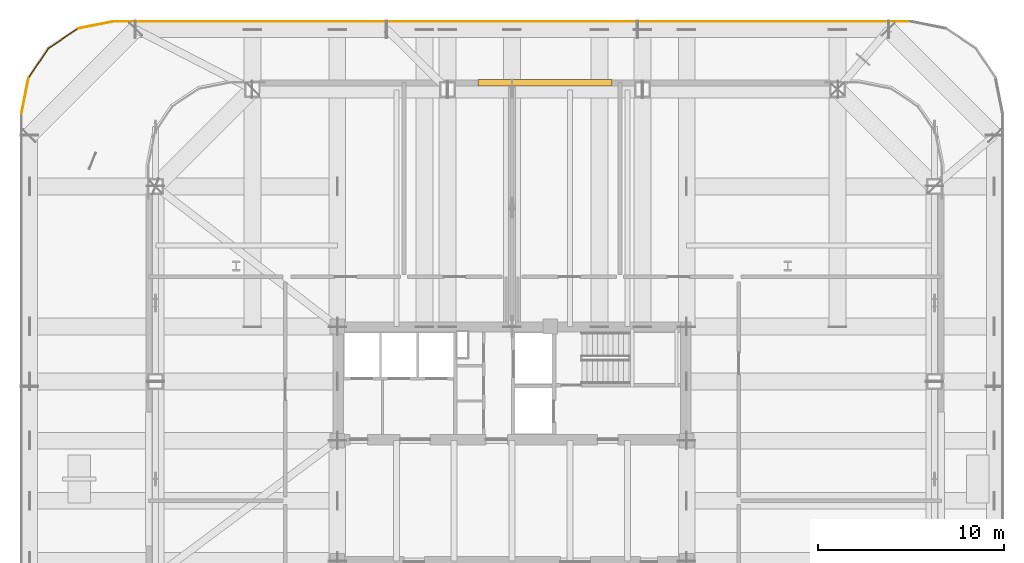
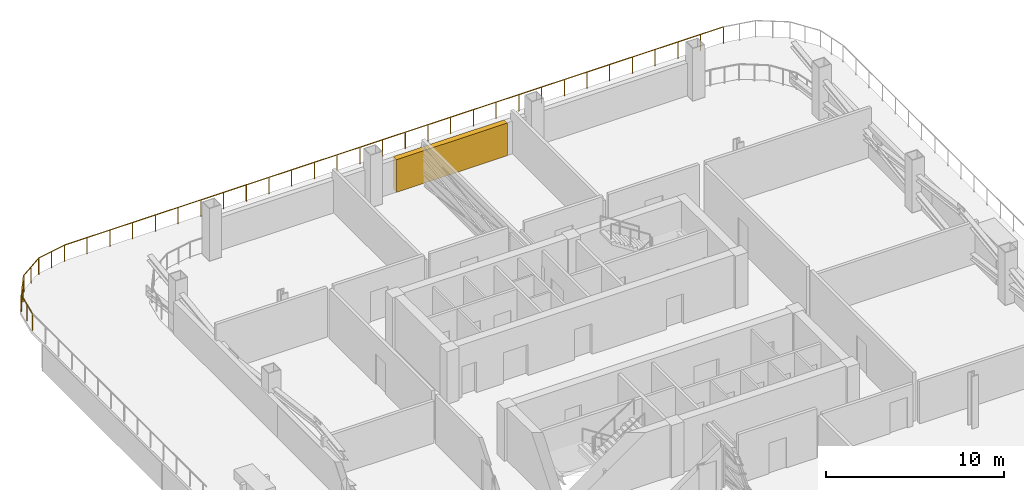
# One storey, part 15 of 16: 5 railings, 1 shading device.
"""IFC4 building model written with IfcOpenShell, lengths in metres."""

from ifc_helpers import new_model, si_unit, direction, frame, origin, origin_2d, place, context, subcontext, project, spatial, rectangle, extrude, material, type_object, element, save


model = new_model("IFC4")

# Units and contexts
model_context = context("Model", 3, precision=1e-05, world=origin(), true_north=direction((0.0, 1.0)))
body_context = subcontext(model_context, "Body", "Model", "MODEL_VIEW")
ifc_project = project(units=[si_unit("LENGTHUNIT", "METRE"), si_unit("AREAUNIT", "SQUARE_METRE"), si_unit("VOLUMEUNIT", "CUBIC_METRE"), si_unit("PLANEANGLEUNIT", "RADIAN"), si_unit("MASSUNIT", "GRAM", prefix="KILO")], contexts=[model_context])

# Site, building, storey
site_placement = place(None, origin())
site = spatial("IfcSite", under=ifc_project, at=site_placement, CompositionType="ELEMENT")
building_placement = place(site_placement, origin())
building = spatial("IfcBuilding", under=site, at=building_placement, Name="Qhalaya Broadcast Tower", CompositionType="ELEMENT")
storey_placement = place(building_placement, frame((0.0, 0.0, 57.89990234375)))
storey = spatial("IfcBuildingStorey", under=building, at=storey_placement, Name="L16", CompositionType="ELEMENT", Elevation=57.89990234375)

# Shading device
ifc_material_1 = material(Name="Fired Architectural Terracotta", Category="masonry")
shading_device_type = type_object("IfcShadingDeviceType", Name="Plant & Turbine-Slot Acoustic Louvre Screen LVS-01", PredefinedType="USERDEFINED", material=ifc_material_1)
shading_device_placement = place(storey_placement, frame((1.77001953125, 23.030029296875, 0.0), z_axis=(0.0, 0.0, 1.0), x_axis=(1.0, 0.0, 0.0)))
element("IfcShadingDevice", 1, at=shading_device_placement, inside=storey, type_object=shading_device_type, Name="L16 Plant Acoustic Louvre Screen N", ObjectType="LOUVRE", PredefinedType="USERDEFINED", context=body_context, shape_type="SweptSolid", body=[
    extrude(rectangle(XDim=7.199951171875, YDim=0.360107421875, at=origin_2d()), origin(), (0.0, 0.0, 1.0), 2.241943359375),
])

# Railings
ifc_material_2 = material(Name="Powder-Coated Galvanised Steel", Category="steel")
railing_type = type_object("IfcRailingType", Name="Terrace, Sky-Pool & Lookout Glass Balustrade 1150", PredefinedType="BALUSTRADE", material=ifc_material_2)
railing_1_placement = place(storey_placement, frame((-26.320068359375, 21.39208984375, 0.0)))
element("IfcRailing", 2, at=railing_1_placement, inside=storey, type_object=railing_type, Name="L16 Perimeter Safety Balustrade BAL-TER1-07", PredefinedType="BALUSTRADE", context=body_context, shape_type="SweptSolid", body=[
    extrude(rectangle(XDim=0.048095703125, YDim=0.048095703125, at=origin_2d()), frame((0.0, 0.0, 1.1259765625), z_axis=(0.195092814307, 0.980784784652, 0.0), x_axis=(-0.980784784652, 0.195092814307, 0.0)), (0.0, 0.0, 1.0), 1.92724609375),
    extrude(rectangle(XDim=0.0419921875, YDim=0.0419921875, at=origin_2d()), origin(), (0.0, 0.0, 1.0), 1.099853515625),
    extrude(rectangle(XDim=0.0419921875, YDim=0.0419921875, at=origin_2d()), frame((0.18798828125, 0.945068359375, 0.0)), (0.0, 0.0, 1.0), 1.099853515625),
    extrude(rectangle(XDim=0.0419921875, YDim=0.0419921875, at=origin_2d()), frame((0.3759765625, 1.89013671875, 0.0)), (0.0, 0.0, 1.0), 1.099853515625),
])
railing_2_placement = place(storey_placement, frame((-25.944091796875, 23.2822265625, 0.0)))
element("IfcRailing", 3, at=railing_2_placement, inside=storey, type_object=railing_type, Name="L16 Perimeter Safety Balustrade BAL-TER1-08", PredefinedType="BALUSTRADE", context=body_context, shape_type="SweptSolid", body=[
    extrude(rectangle(XDim=0.048095703125, YDim=0.048095703125, at=origin_2d()), frame((0.0, 0.0, 1.1259765625), z_axis=(0.555697986594, 0.831384235895, 0.0), x_axis=(-0.831384235895, 0.555697986594, 0.0)), (0.0, 0.0, 1.0), 1.9189453125),
    extrude(rectangle(XDim=0.0419921875, YDim=0.0419921875, at=origin_2d()), origin(), (0.0, 0.0, 1.0), 1.099853515625),
    extrude(rectangle(XDim=0.0419921875, YDim=0.0419921875, at=origin_2d()), frame((0.533203125, 0.7978515625, 0.0)), (0.0, 0.0, 1.0), 1.099853515625),
    extrude(rectangle(XDim=0.0419921875, YDim=0.0419921875, at=origin_2d()), frame((1.06640625, 1.595458984375, 0.0)), (0.0, 0.0, 1.0), 1.099853515625),
])
railing_3_placement = place(storey_placement, frame((-24.877685546875, 24.877685546875, 0.0)))
element("IfcRailing", 4, at=railing_3_placement, inside=storey, type_object=railing_type, Name="L16 Perimeter Safety Balustrade BAL-TER1-09", PredefinedType="BALUSTRADE", context=body_context, shape_type="SweptSolid", body=[
    extrude(rectangle(XDim=0.048095703125, YDim=0.048095703125, at=origin_2d()), frame((0.0, 0.0, 1.1259765625), z_axis=(0.831384235895, 0.555697986594, 0.0), x_axis=(-0.555697986594, 0.831384235895, 0.0)), (0.0, 0.0, 1.0), 1.9189453125),
    extrude(rectangle(XDim=0.0419921875, YDim=0.0419921875, at=origin_2d()), origin(), (0.0, 0.0, 1.0), 1.099853515625),
    extrude(rectangle(XDim=0.0419921875, YDim=0.0419921875, at=origin_2d()), frame((0.7978515625, 0.533203125, 0.0)), (0.0, 0.0, 1.0), 1.099853515625),
    extrude(rectangle(XDim=0.0419921875, YDim=0.0419921875, at=origin_2d()), frame((1.595458984375, 1.06640625, 0.0)), (0.0, 0.0, 1.0), 1.099853515625),
])
railing_4_placement = place(storey_placement, frame((-23.2822265625, 25.944091796875, 0.0)))
element("IfcRailing", 5, at=railing_4_placement, inside=storey, type_object=railing_type, Name="L16 Perimeter Safety Balustrade BAL-TER1-10", PredefinedType="BALUSTRADE", context=body_context, shape_type="SweptSolid", body=[
    extrude(rectangle(XDim=0.048095703125, YDim=0.048095703125, at=origin_2d()), frame((0.0, 0.0, 1.1259765625), z_axis=(0.980784784652, 0.195092814307, 0.0), x_axis=(-0.195092814307, 0.980784784652, 0.0)), (0.0, 0.0, 1.0), 1.92724609375),
    extrude(rectangle(XDim=0.0419921875, YDim=0.0419921875, at=origin_2d()), origin(), (0.0, 0.0, 1.0), 1.099853515625),
    extrude(rectangle(XDim=0.0419921875, YDim=0.0419921875, at=origin_2d()), frame((0.945068359375, 0.18798828125, 0.0)), (0.0, 0.0, 1.0), 1.099853515625),
    extrude(rectangle(XDim=0.0419921875, YDim=0.0419921875, at=origin_2d()), frame((1.89013671875, 0.3759765625, 0.0)), (0.0, 0.0, 1.0), 1.099853515625),
])
railing_5_placement = place(storey_placement, frame((-21.39208984375, 26.320068359375, 0.0)))
element("IfcRailing", 6, at=railing_5_placement, inside=storey, type_object=railing_type, Name="L16 Perimeter Safety Balustrade BAL-TER1-11", PredefinedType="BALUSTRADE", context=body_context, shape_type="SweptSolid", body=[
    extrude(rectangle(XDim=0.048095703125, YDim=0.048095703125, at=origin_2d()), frame((0.0, 0.0, 1.1259765625), z_axis=(1.0, 0.0, 0.0), x_axis=(0.0, 1.0, 0.0)), (0.0, 0.0, 1.0), 42.7841796875),
    extrude(rectangle(XDim=0.0419921875, YDim=0.0419921875, at=origin_2d()), origin(), (0.0, 0.0, 1.0), 1.099853515625),
    extrude(rectangle(XDim=0.0419921875, YDim=0.0419921875, at=origin_2d()), frame((1.475341796875, 0.0, 0.0)), (0.0, 0.0, 1.0), 1.099853515625),
    extrude(rectangle(XDim=0.0419921875, YDim=0.0419921875, at=origin_2d()), frame((2.95068359375, 0.0, 0.0)), (0.0, 0.0, 1.0), 1.099853515625),
    extrude(rectangle(XDim=0.0419921875, YDim=0.0419921875, at=origin_2d()), frame((4.426025390625, 0.0, 0.0)), (0.0, 0.0, 1.0), 1.099853515625),
    extrude(rectangle(XDim=0.0419921875, YDim=0.0419921875, at=origin_2d()), frame((5.9013671875, 0.0, 0.0)), (0.0, 0.0, 1.0), 1.099853515625),
    extrude(rectangle(XDim=0.0419921875, YDim=0.0419921875, at=origin_2d()), frame((7.37646484375, 0.0, 0.0)), (0.0, 0.0, 1.0), 1.099853515625),
    extrude(rectangle(XDim=0.0419921875, YDim=0.0419921875, at=origin_2d()), frame((8.851806640625, 0.0, 0.0)), (0.0, 0.0, 1.0), 1.099853515625),
    extrude(rectangle(XDim=0.0419921875, YDim=0.0419921875, at=origin_2d()), frame((10.3271484375, 0.0, 0.0)), (0.0, 0.0, 1.0), 1.099853515625),
    extrude(rectangle(XDim=0.0419921875, YDim=0.0419921875, at=origin_2d()), frame((11.802490234375, 0.0, 0.0)), (0.0, 0.0, 1.0), 1.099853515625),
    extrude(rectangle(XDim=0.0419921875, YDim=0.0419921875, at=origin_2d()), frame((13.27783203125, 0.0, 0.0)), (0.0, 0.0, 1.0), 1.099853515625),
    extrude(rectangle(XDim=0.0419921875, YDim=0.0419921875, at=origin_2d()), frame((14.753173828125, 0.0, 0.0)), (0.0, 0.0, 1.0), 1.099853515625),
    extrude(rectangle(XDim=0.0419921875, YDim=0.0419921875, at=origin_2d()), frame((16.228515625, 0.0, 0.0)), (0.0, 0.0, 1.0), 1.099853515625),
    extrude(rectangle(XDim=0.0419921875, YDim=0.0419921875, at=origin_2d()), frame((17.703857421875, 0.0, 0.0)), (0.0, 0.0, 1.0), 1.099853515625),
    extrude(rectangle(XDim=0.0419921875, YDim=0.0419921875, at=origin_2d()), frame((19.17919921875, 0.0, 0.0)), (0.0, 0.0, 1.0), 1.099853515625),
    extrude(rectangle(XDim=0.0419921875, YDim=0.0419921875, at=origin_2d()), frame((20.654541015625, 0.0, 0.0)), (0.0, 0.0, 1.0), 1.099853515625),
    extrude(rectangle(XDim=0.0419921875, YDim=0.0419921875, at=origin_2d()), frame((22.129638671875, 0.0, 0.0)), (0.0, 0.0, 1.0), 1.099853515625),
    extrude(rectangle(XDim=0.0419921875, YDim=0.0419921875, at=origin_2d()), frame((23.60498046875, 0.0, 0.0)), (0.0, 0.0, 1.0), 1.099853515625),
    extrude(rectangle(XDim=0.0419921875, YDim=0.0419921875, at=origin_2d()), frame((25.080322265625, 0.0, 0.0)), (0.0, 0.0, 1.0), 1.099853515625),
    extrude(rectangle(XDim=0.0419921875, YDim=0.0419921875, at=origin_2d()), frame((26.5556640625, 0.0, 0.0)), (0.0, 0.0, 1.0), 1.099853515625),
    extrude(rectangle(XDim=0.0419921875, YDim=0.0419921875, at=origin_2d()), frame((28.031005859375, 0.0, 0.0)), (0.0, 0.0, 1.0), 1.099853515625),
    extrude(rectangle(XDim=0.0419921875, YDim=0.0419921875, at=origin_2d()), frame((29.50634765625, 0.0, 0.0)), (0.0, 0.0, 1.0), 1.099853515625),
    extrude(rectangle(XDim=0.0419921875, YDim=0.0419921875, at=origin_2d()), frame((30.981689453125, 0.0, 0.0)), (0.0, 0.0, 1.0), 1.099853515625),
    extrude(rectangle(XDim=0.0419921875, YDim=0.0419921875, at=origin_2d()), frame((32.45703125, 0.0, 0.0)), (0.0, 0.0, 1.0), 1.099853515625),
    extrude(rectangle(XDim=0.0419921875, YDim=0.0419921875, at=origin_2d()), frame((33.932373046875, 0.0, 0.0)), (0.0, 0.0, 1.0), 1.099853515625),
    extrude(rectangle(XDim=0.0419921875, YDim=0.0419921875, at=origin_2d()), frame((35.40771484375, 0.0, 0.0)), (0.0, 0.0, 1.0), 1.099853515625),
    extrude(rectangle(XDim=0.0419921875, YDim=0.0419921875, at=origin_2d()), frame((36.8828125, 0.0, 0.0)), (0.0, 0.0, 1.0), 1.099853515625),
    extrude(rectangle(XDim=0.0419921875, YDim=0.0419921875, at=origin_2d()), frame((38.358154296875, 0.0, 0.0)), (0.0, 0.0, 1.0), 1.099853515625),
    extrude(rectangle(XDim=0.0419921875, YDim=0.0419921875, at=origin_2d()), frame((39.83349609375, 0.0, 0.0)), (0.0, 0.0, 1.0), 1.099853515625),
    extrude(rectangle(XDim=0.0419921875, YDim=0.0419921875, at=origin_2d()), frame((41.308837890625, 0.0, 0.0)), (0.0, 0.0, 1.0), 1.099853515625),
    extrude(rectangle(XDim=0.0419921875, YDim=0.0419921875, at=origin_2d()), frame((42.7841796875, 0.0, 0.0)), (0.0, 0.0, 1.0), 1.099853515625),
])

save(model, "model.ifc")
